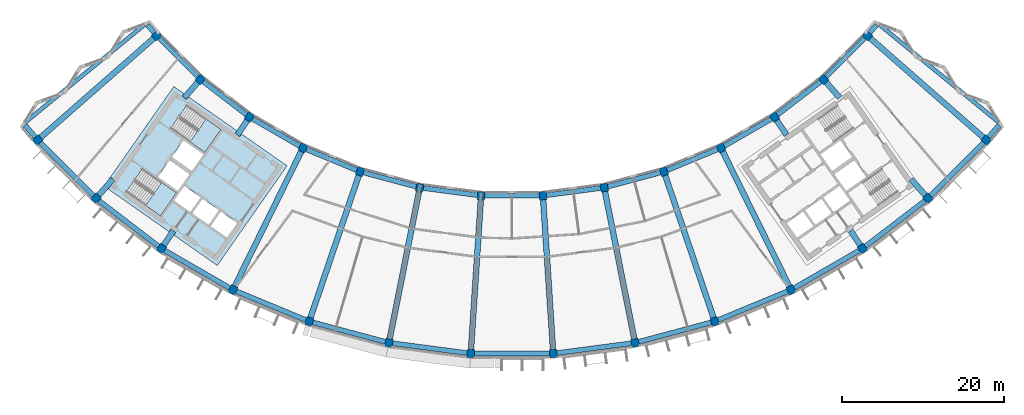
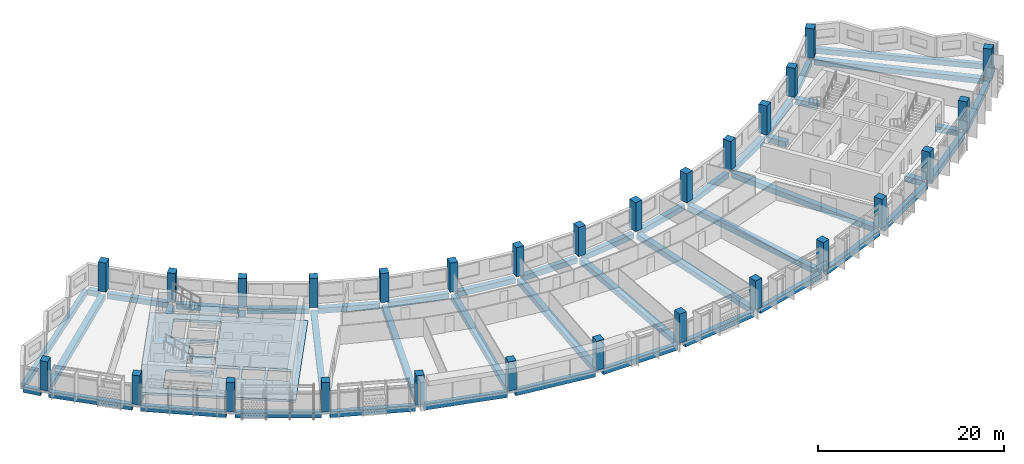
# One storey, part 1 of 27: 50 beams, 28 columns, 3 slabs, 2 elements without a shape of their own.
"""IFC4 building model written with IfcOpenShell, lengths in metres."""

from ifc_helpers import new_model, si_unit, direction, frame, origin, origin_2d, place, context, subcontext, project, spatial, polyline, rectangle, outline, extrude, material, layer, layer_set, material_profile, profile_set, type_object, element, aggregate, save


model = new_model("IFC4")

# Units and contexts
model_context = context("Model", 3, precision=1e-05, world=origin(), true_north=direction((0.0, 1.0)))
body_context = subcontext(model_context, "Body", "Model", "MODEL_VIEW")
ifc_project = project(units=[si_unit("LENGTHUNIT", "METRE"), si_unit("AREAUNIT", "SQUARE_METRE"), si_unit("VOLUMEUNIT", "CUBIC_METRE"), si_unit("PLANEANGLEUNIT", "RADIAN"), si_unit("MASSUNIT", "GRAM", prefix="KILO")], contexts=[model_context])

# Site, building, storey
site_placement = place(None, origin())
site = spatial("IfcSite", under=ifc_project, at=site_placement, CompositionType="ELEMENT")
building_placement = place(site_placement, origin())
building = spatial("IfcBuilding", under=site, at=building_placement, Name="Qamariyya Broadcast Tower", CompositionType="ELEMENT")
storey_placement = place(building_placement, frame((0.0, 0.0, 280.89990234375)))
storey = spatial("IfcBuildingStorey", under=building, at=storey_placement, Name="L68", CompositionType="ELEMENT", Elevation=280.89990234375)

# Columns
ifc_material_1 = material(Name="Concrete C50/60", Category="concrete")
ifc_material_profile_1 = material_profile(ifc_material_1, rectangle(XDim=0.89990234375, YDim=1.0, at=origin_2d()))
ifc_profile_set_1 = profile_set([ifc_material_profile_1], Name="Concrete C50/60")
column_type = type_object("IfcColumnType", Name="RC column 900 x 1000 C50/60", PredefinedType="COLUMN", material=ifc_profile_set_1)
for number, where, z_axis, x_axis, name in (
    (1, (-43.794677734375, -38.406982421875, 0.0), (0.0, 0.0, 1.0), (0.6593458151, -0.751839807479, 0.0), "Column C12 L68 B-R04"),
    (2, (-58.45556640625, -51.26416015625, 0.0), (0.0, 0.0, 1.0), (0.6593458151, -0.751839807479, 0.0), "Column C12 L68 C-R04"),
    (3, (-38.406982421875, -43.794677734375, 0.0), (0.0, 0.0, 1.0), (0.751839807479, -0.6593458151, 0.0), "Column C12 L68 B-R05"),
    (4, (-51.26416015625, -58.45556640625, 0.0), (0.0, 0.0, 1.0), (0.751839807479, -0.6593458151, 0.0), "Column C12 L68 C-R05"),
    (5, (-32.362060546875, -48.43310546875, 0.0), (0.0, 0.0, 1.0), (0.831469612303, -0.55557023302, 0.0), "Column C12 L68 B-R06"),
    (6, (-43.195556640625, -64.646728515625, 0.0), (0.0, 0.0, 1.0), (0.831469612303, -0.55557023302, 0.0), "Column C12 L68 C-R06"),
    (7, (-25.763427734375, -52.242919921875, 0.0), (0.0, 0.0, 1.0), (0.896872741533, -0.442288690219, 0.0), "Column C12 L68 B-R07"),
    (8, (-34.387939453125, -69.73193359375, 0.0), (0.0, 0.0, 1.0), (0.896872741533, -0.442288690219, 0.0), "Column C12 L68 C-R07"),
    (9, (-18.723876953125, -55.15869140625, 0.0), (0.0, 0.0, 1.0), (0.946930129495, -0.321439465303, 0.0), "Column C12 L68 B-R08"),
    (10, (-24.991943359375, -73.623779296875, 0.0), (0.0, 0.0, 1.0), (0.946930129495, -0.321439465303, 0.0), "Column C12 L68 C-R08"),
    (11, (-11.364013671875, -57.130859375, 0.0), (0.0, 0.0, 1.0), (0.980785280403, -0.195090322016, 0.0), "Column C12 L68 B-R09"),
    (12, (-15.168212890625, -76.256103515625, 0.0), (0.0, 0.0, 1.0), (0.980785280403, -0.195090322016, 0.0), "Column C12 L68 C-R09"),
    (13, (-3.809814453125, -58.125244140625, 0.0), (0.0, 0.0, 1.0), (0.997858923239, -0.06540312923, 0.0), "Column C12 L68 B-R10"),
    (14, (-5.085205078125, -77.58349609375, 0.0), (0.0, 0.0, 1.0), (0.997858923239, -0.06540312923, 0.0), "Column C12 L68 C-R10"),
    (15, (3.809814453125, -58.125244140625, 0.0), (0.0, 0.0, 1.0), (0.997858923239, 0.06540312923, 0.0), "Column C12 L68 B-R11"),
    (16, (5.085205078125, -77.58349609375, 0.0), (0.0, 0.0, 1.0), (0.997858923239, 0.06540312923, 0.0), "Column C12 L68 C-R11"),
    (17, (11.364013671875, -57.130859375, 0.0), (0.0, 0.0, 1.0), (0.980785280403, 0.195090322016, 0.0), "Column C12 L68 B-R12"),
    (18, (15.168212890625, -76.256103515625, 0.0), (0.0, 0.0, 1.0), (0.980785280403, 0.195090322016, 0.0), "Column C12 L68 C-R12"),
    (19, (18.723876953125, -55.15869140625, 0.0), (0.0, 0.0, 1.0), (0.946930129495, 0.321439465303, 0.0), "Column C12 L68 B-R13"),
    (20, (24.991943359375, -73.623779296875, 0.0), (0.0, 0.0, 1.0), (0.946930129495, 0.321439465303, 0.0), "Column C12 L68 C-R13"),
    (21, (25.763427734375, -52.242919921875, 0.0), (0.0, 0.0, 1.0), (0.896872741533, 0.442288690219, 0.0), "Column C12 L68 B-R14"),
    (22, (34.387939453125, -69.73193359375, 0.0), (0.0, 0.0, 1.0), (0.896872741533, 0.442288690219, 0.0), "Column C12 L68 C-R14"),
    (23, (32.362060546875, -48.43310546875, 0.0), (0.0, 0.0, 1.0), (0.831469612303, 0.55557023302, 0.0), "Column C12 L68 B-R15"),
    (24, (43.195556640625, -64.646728515625, 0.0), (0.0, 0.0, 1.0), (0.831469612303, 0.55557023302, 0.0), "Column C12 L68 C-R15"),
    (25, (38.406982421875, -43.794677734375, 0.0), (0.0, 0.0, 1.0), (0.751839807479, 0.6593458151, 0.0), "Column C12 L68 B-R16"),
    (26, (51.26416015625, -58.45556640625, 0.0), (0.0, 0.0, 1.0), (0.751839807479, 0.6593458151, 0.0), "Column C12 L68 C-R16"),
    (27, (43.794677734375, -38.406982421875, 0.0), (0.0, 0.0, 1.0), (0.6593458151, 0.751839807479, 0.0), "Column C12 L68 B-R17"),
    (28, (58.45556640625, -51.26416015625, 0.0), (0.0, 0.0, 1.0), (0.6593458151, 0.751839807479, 0.0), "Column C12 L68 C-R17"),
):
    element("IfcColumn", number, at=place(storey_placement, frame(where, z_axis=z_axis, x_axis=x_axis)), inside=storey, type_object=column_type, Name=name, PredefinedType="COLUMN", context=body_context, shape_type="SweptSolid", body=[
        extrude(rectangle(XDim=0.89990234375, YDim=1.0, at=origin_2d()), origin(), (0.0, 0.0, 1.0), 3.800048828125),
    ])

# Beams
ifc_material_2 = material(Name="Concrete C40/50", Category="concrete")
ifc_material_profile_2 = material_profile(ifc_material_2, rectangle(XDim=0.60009765625, YDim=0.699951171875, at=origin_2d()))
ifc_profile_set_2 = profile_set([ifc_material_profile_2], Name="Concrete C40/50")
beam_type_1 = type_object("IfcBeamType", Name="RC edge beam 600 x 700 C40/50", PredefinedType="SPANDREL", material=ifc_profile_set_2)
for number, where, z_axis, x_axis, name in (
    (29, (-43.475830078125, -38.725830078125, -0.64990234375), (0.707106781187, -0.707106781187, 0.0), (0.707106781187, 0.707106781187, 0.0), "Edge beam B20 L68 B R04-R05"),
    (30, (-38.049072265625, -44.069091796875, -0.64990234375), (0.793335450892, -0.608784742219, 0.0), (0.608784742219, 0.793335450892, 0.0), "Edge beam B20 L68 B R05-R06"),
    (31, (-31.971435546875, -48.65869140625, -0.64990234375), (0.866036098112, -0.499981476425, 0.0), (0.499981476425, 0.866036098112, 0.0), "Edge beam B20 L68 B R06-R07"),
    (32, (-25.3466796875, -52.41552734375, -0.64990234375), (0.923888821942, -0.382661004926, 0.0), (0.382661004926, 0.923888821942, 0.0), "Edge beam B20 L68 B R07-R08"),
    (33, (-18.288330078125, -55.275390625, -0.64990234375), (0.965930856343, -0.258800271955, 0.0), (0.258800271955, 0.965930856343, 0.0), "Edge beam B20 L68 B R08-R09"),
    (34, (-10.9169921875, -57.189697265625, -0.64990234375), (0.991447119382, -0.130509039798, 0.0), (0.130509039798, 0.991447119382, 0.0), "Edge beam B20 L68 B R09-R10"),
):
    element("IfcBeam", number, at=place(storey_placement, frame(where, z_axis=z_axis, x_axis=x_axis)), inside=storey, type_object=beam_type_1, Name=name, PredefinedType="SPANDREL", context=body_context, shape_type="SweptSolid", body=[
        extrude(rectangle(XDim=0.60009765625, YDim=0.699951171875, at=origin_2d()), origin(), (0.0, 0.0, 1.0), 6.717529296875),
    ])
beam_1_placement = place(storey_placement, frame((-3.35888671875, -58.125244140625, -0.64990234375), z_axis=(1.0, 0.0, 0.0), x_axis=(0.0, 1.0, 0.0)))
element("IfcBeam", 35, at=beam_1_placement, inside=storey, type_object=beam_type_1, Name="Edge beam B20 L68 B R10-R11", PredefinedType="SPANDREL", context=body_context, shape_type="SweptSolid", body=[
    extrude(rectangle(XDim=0.60009765625, YDim=0.699951171875, at=origin_2d()), origin(), (0.0, 0.0, 1.0), 6.7177734375),
])
for number, where, z_axis, x_axis, name in (
    (36, (4.2568359375, -58.06640625, -0.64990234375), (0.991447119382, 0.130509039798, 0.0), (-0.130509039798, 0.991447119382, 0.0), "Edge beam B20 L68 B R11-R12"),
    (37, (11.799560546875, -57.013916015625, -0.64990234375), (0.965930856343, 0.258800271955, 0.0), (-0.258800271955, 0.965930856343, 0.0), "Edge beam B20 L68 B R12-R13"),
    (38, (19.140380859375, -54.986083984375, -0.64990234375), (0.923888821942, 0.382661004926, 0.0), (-0.382661004926, 0.923888821942, 0.0), "Edge beam B20 L68 B R13-R14"),
    (39, (26.15380859375, -52.017333984375, -0.64990234375), (0.866036098112, 0.499981476425, 0.0), (-0.499981476425, 0.866036098112, 0.0), "Edge beam B20 L68 B R14-R15"),
    (40, (32.7197265625, -48.15869140625, -0.64990234375), (0.793335450892, 0.608784742219, 0.0), (-0.608784742219, 0.793335450892, 0.0), "Edge beam B20 L68 B R15-R16"),
    (41, (38.725830078125, -43.475830078125, -0.64990234375), (0.707106781187, 0.707106781187, 0.0), (-0.707106781187, 0.707106781187, 0.0), "Edge beam B20 L68 B R16-R17"),
):
    element("IfcBeam", number, at=place(storey_placement, frame(where, z_axis=z_axis, x_axis=x_axis)), inside=storey, type_object=beam_type_1, Name=name, PredefinedType="SPANDREL", context=body_context, shape_type="SweptSolid", body=[
        extrude(rectangle(XDim=0.60009765625, YDim=0.699951171875, at=origin_2d()), origin(), (0.0, 0.0, 1.0), 6.717529296875),
    ])
for number, where, z_axis, x_axis, name in (
    (42, (-58.13671875, -51.5830078125, -0.64990234375), (0.707106781187, -0.707106781187, 0.0), (0.707106781187, 0.707106781187, 0.0), "Edge beam B20 L68 C R04-R05"),
    (43, (-50.90625, -58.72998046875, -0.64990234375), (0.793335362304, -0.608784857662, 0.0), (0.608784857662, 0.793335362304, 0.0), "Edge beam B20 L68 C R05-R06"),
):
    element("IfcBeam", number, at=place(storey_placement, frame(where, z_axis=z_axis, x_axis=x_axis)), inside=storey, type_object=beam_type_1, Name=name, PredefinedType="SPANDREL", context=body_context, shape_type="SweptSolid", body=[
        extrude(rectangle(XDim=0.60009765625, YDim=0.699951171875, at=origin_2d()), origin(), (0.0, 0.0, 1.0), 9.268310546875),
    ])
for number, where, z_axis, x_axis, name in (
    (44, (-42.804931640625, -64.872314453125, -0.64990234375), (0.866025032501, -0.50000064308, 0.0), (0.50000064308, 0.866025032501, 0.0), "Edge beam B20 L68 C R06-R07"),
    (45, (-33.97119140625, -69.904541015625, -0.64990234375), (0.923886165939, -0.382667417461, 0.0), (0.382667417461, 0.923886165939, 0.0), "Edge beam B20 L68 C R07-R08"),
):
    element("IfcBeam", number, at=place(storey_placement, frame(where, z_axis=z_axis, x_axis=x_axis)), inside=storey, type_object=beam_type_1, Name=name, PredefinedType="SPANDREL", context=body_context, shape_type="SweptSolid", body=[
        extrude(rectangle(XDim=0.60009765625, YDim=0.699951171875, at=origin_2d()), origin(), (0.0, 0.0, 1.0), 9.26806640625),
    ])
beam_2_placement = place(storey_placement, frame((-24.556396484375, -73.740478515625, -0.64990234375), z_axis=(0.965923830183, -0.258826494556, 0.0), x_axis=(0.258826494556, 0.965923830183, 0.0)))
element("IfcBeam", 46, at=beam_2_placement, inside=storey, type_object=beam_type_1, Name="Edge beam B20 L68 C R08-R09", PredefinedType="SPANDREL", context=body_context, shape_type="SweptSolid", body=[
    extrude(rectangle(XDim=0.60009765625, YDim=0.699951171875, at=origin_2d()), origin(), (0.0, 0.0, 1.0), 9.2685546875),
])
beam_3_placement = place(storey_placement, frame((-14.72119140625, -76.31494140625, -0.64990234375), z_axis=(0.991445327372, -0.130522652562, 0.0), x_axis=(0.130522652562, 0.991445327372, 0.0)))
element("IfcBeam", 47, at=beam_3_placement, inside=storey, type_object=beam_type_1, Name="Edge beam B20 L68 C R09-R10", PredefinedType="SPANDREL", context=body_context, shape_type="SweptSolid", body=[
    extrude(rectangle(XDim=0.60009765625, YDim=0.699951171875, at=origin_2d()), origin(), (0.0, 0.0, 1.0), 9.268310546875),
])
beam_4_placement = place(storey_placement, frame((-4.634033203125, -77.58349609375, -0.64990234375), z_axis=(1.0, 0.0, 0.0), x_axis=(0.0, 1.0, 0.0)))
element("IfcBeam", 48, at=beam_4_placement, inside=storey, type_object=beam_type_1, Name="Edge beam B20 L68 C R10-R11", PredefinedType="SPANDREL", context=body_context, shape_type="SweptSolid", body=[
    extrude(rectangle(XDim=0.60009765625, YDim=0.699951171875, at=origin_2d()), origin(), (0.0, 0.0, 1.0), 9.26806640625),
])
beam_5_placement = place(storey_placement, frame((5.5322265625, -77.524658203125, -0.64990234375), z_axis=(0.991445327372, 0.130522652562, 0.0), x_axis=(-0.130522652562, 0.991445327372, 0.0)))
element("IfcBeam", 49, at=beam_5_placement, inside=storey, type_object=beam_type_1, Name="Edge beam B20 L68 C R11-R12", PredefinedType="SPANDREL", context=body_context, shape_type="SweptSolid", body=[
    extrude(rectangle(XDim=0.60009765625, YDim=0.699951171875, at=origin_2d()), origin(), (0.0, 0.0, 1.0), 9.268310546875),
])
beam_6_placement = place(storey_placement, frame((15.603759765625, -76.139404296875, -0.64990234375), z_axis=(0.965923830183, 0.258826494556, 0.0), x_axis=(-0.258826494556, 0.965923830183, 0.0)))
element("IfcBeam", 50, at=beam_6_placement, inside=storey, type_object=beam_type_1, Name="Edge beam B20 L68 C R12-R13", PredefinedType="SPANDREL", context=body_context, shape_type="SweptSolid", body=[
    extrude(rectangle(XDim=0.60009765625, YDim=0.699951171875, at=origin_2d()), origin(), (0.0, 0.0, 1.0), 9.2685546875),
])
for number, where, z_axis, x_axis, name in (
    (51, (25.408447265625, -73.451171875, -0.64990234375), (0.923886165939, 0.382667417461, 0.0), (-0.382667417461, 0.923886165939, 0.0), "Edge beam B20 L68 C R13-R14"),
    (52, (34.778564453125, -69.50634765625, -0.64990234375), (0.866025032501, 0.50000064308, 0.0), (-0.50000064308, 0.866025032501, 0.0), "Edge beam B20 L68 C R14-R15"),
):
    element("IfcBeam", number, at=place(storey_placement, frame(where, z_axis=z_axis, x_axis=x_axis)), inside=storey, type_object=beam_type_1, Name=name, PredefinedType="SPANDREL", context=body_context, shape_type="SweptSolid", body=[
        extrude(rectangle(XDim=0.60009765625, YDim=0.699951171875, at=origin_2d()), origin(), (0.0, 0.0, 1.0), 9.26806640625),
    ])
for number, where, z_axis, x_axis, name in (
    (53, (43.553466796875, -64.372314453125, -0.64990234375), (0.793335362304, 0.608784857662, 0.0), (-0.608784857662, 0.793335362304, 0.0), "Edge beam B20 L68 C R15-R16"),
    (54, (51.5830078125, -58.13671875, -0.64990234375), (0.707106781187, 0.707106781187, 0.0), (-0.707106781187, 0.707106781187, 0.0), "Edge beam B20 L68 C R16-R17"),
):
    element("IfcBeam", number, at=place(storey_placement, frame(where, z_axis=z_axis, x_axis=x_axis)), inside=storey, type_object=beam_type_1, Name=name, PredefinedType="SPANDREL", context=body_context, shape_type="SweptSolid", body=[
        extrude(rectangle(XDim=0.60009765625, YDim=0.699951171875, at=origin_2d()), origin(), (0.0, 0.0, 1.0), 9.268310546875),
    ])
ifc_material_profile_3 = material_profile(ifc_material_2, rectangle(XDim=0.60009765625, YDim=0.699951171875, at=origin_2d()))
ifc_profile_set_3 = profile_set([ifc_material_profile_3], Name="Concrete C40/50")
beam_type_2 = type_object("IfcBeamType", Name="RC horn beam 600 x 700 C40/50", PredefinedType="BEAM", material=ifc_profile_set_3)
beam_7_placement = place(storey_placement, frame((-44.085693359375, -38.0634765625, -0.64990234375), z_axis=(-0.646340682257, 0.763048964654, 0.0), x_axis=(-0.763048964654, -0.646340682257, 0.0)))
element("IfcBeam", 55, at=beam_7_placement, inside=storey, type_object=beam_type_2, Name="Horn beam B19 L68 W B-R04", PredefinedType="BEAM", context=body_context, shape_type="SweptSolid", body=[
    extrude(rectangle(XDim=0.60009765625, YDim=0.699951171875, at=origin_2d()), origin(), (0.0, 0.0, 1.0), 1.290771484375),
])
beam_8_placement = place(storey_placement, frame((-58.74658203125, -50.920654296875, -0.64990234375), z_axis=(-0.646383872123, 0.763012378575, 0.0), x_axis=(-0.763012378575, -0.646383872123, 0.0)))
element("IfcBeam", 56, at=beam_8_placement, inside=storey, type_object=beam_type_2, Name="Horn beam B19 L68 W C-R04", PredefinedType="BEAM", context=body_context, shape_type="SweptSolid", body=[
    extrude(rectangle(XDim=0.60009765625, YDim=0.699951171875, at=origin_2d()), origin(), (0.0, 0.0, 1.0), 1.957275390625),
])
beam_9_placement = place(storey_placement, frame((44.085693359375, -38.0634765625, -0.64990234375), z_axis=(0.646340682257, 0.763048964654, 0.0), x_axis=(-0.763048964654, 0.646340682257, 0.0)))
element("IfcBeam", 57, at=beam_9_placement, inside=storey, type_object=beam_type_2, Name="Horn beam B19 L68 E B-R17", PredefinedType="BEAM", context=body_context, shape_type="SweptSolid", body=[
    extrude(rectangle(XDim=0.60009765625, YDim=0.699951171875, at=origin_2d()), origin(), (0.0, 0.0, 1.0), 1.290771484375),
])
beam_10_placement = place(storey_placement, frame((58.74658203125, -50.920654296875, -0.64990234375), z_axis=(0.646383872123, 0.763012378575, 0.0), x_axis=(-0.763012378575, 0.646383872123, 0.0)))
element("IfcBeam", 58, at=beam_10_placement, inside=storey, type_object=beam_type_2, Name="Horn beam B19 L68 E C-R17", PredefinedType="BEAM", context=body_context, shape_type="SweptSolid", body=[
    extrude(rectangle(XDim=0.60009765625, YDim=0.699951171875, at=origin_2d()), origin(), (0.0, 0.0, 1.0), 1.957275390625),
])
ifc_material_profile_4 = material_profile(ifc_material_2, rectangle(XDim=0.5, YDim=0.699951171875, at=origin_2d()))
ifc_profile_set_4 = profile_set([ifc_material_profile_4], Name="Concrete C40/50")
beam_type_3 = type_object("IfcBeamType", Name="RC horn cap beam 500 x 700 C40/50", PredefinedType="BEAM", material=ifc_profile_set_4)
for number, where, z_axis, x_axis, name in (
    (59, (-45.313720703125, -37.077880859375, -0.64990234375), (-0.773935428623, -0.633264520025, 0.0), (0.633264520025, -0.773935428623, 0.0), "Horn cap beam B21 L68 W B-C"),
    (60, (45.313720703125, -37.077880859375, -0.64990234375), (0.773935428623, -0.633264520025, 0.0), (0.633264520025, 0.773935428623, 0.0), "Horn cap beam B21 L68 E B-C"),
):
    element("IfcBeam", number, at=place(storey_placement, frame(where, z_axis=z_axis, x_axis=x_axis)), inside=storey, type_object=beam_type_3, Name=name, PredefinedType="BEAM", context=body_context, shape_type="SweptSolid", body=[
        extrude(rectangle(XDim=0.5, YDim=0.699951171875, at=origin_2d()), origin(), (0.0, 0.0, 1.0), 18.900146484375),
    ])
ifc_material_profile_5 = material_profile(ifc_material_2, rectangle(XDim=0.699951171875, YDim=0.699951171875, at=origin_2d()))
ifc_profile_set_5 = profile_set([ifc_material_profile_5], Name="Concrete C40/50")
beam_type_4 = type_object("IfcBeamType", Name="RC radial beam 700 x 700 C40/50", PredefinedType="BEAM", material=ifc_profile_set_5)
beam_11_placement = place(storey_placement, frame((-44.170654296875, -38.736572265625, -0.64990234375), z_axis=(-0.751834744467, -0.659351588314, 0.0), x_axis=(0.659351588314, -0.751834744467, 0.0)))
element("IfcBeam", 61, at=beam_11_placement, inside=storey, type_object=beam_type_4, Name="Radial beam B18 L68 R04 B-C", PredefinedType="BEAM", context=body_context, shape_type="SweptSolid", body=[
    extrude(rectangle(XDim=0.699951171875, YDim=0.699951171875, at=origin_2d()), origin(), (0.0, 0.0, 1.0), 18.5),
])
beam_12_placement = place(storey_placement, frame((-38.736572265625, -44.170654296875, -0.64990234375), z_axis=(-0.659370418704, -0.751818229986, 0.0), x_axis=(0.751818229986, -0.659370418704, 0.0)))
element("IfcBeam", 62, at=beam_12_placement, inside=storey, type_object=beam_type_4, Name="Radial beam B18 L68 R05 B-C", PredefinedType="BEAM", context=body_context, shape_type="SweptSolid", body=[
    extrude(rectangle(XDim=0.699951171875, YDim=0.699951171875, at=origin_2d()), origin(), (0.0, 0.0, 1.0), 2.51416015625),
])
beam_13_placement = place(storey_placement, frame((-49.1943359375, -56.095458984375, -0.64990234375), z_axis=(-0.659388288985, -0.751802556759, 0.0), x_axis=(0.751802556759, -0.659388288985, 0.0)))
element("IfcBeam", 63, at=beam_13_placement, inside=storey, type_object=beam_type_4, Name="Radial beam B18 L68 R05 B-C", PredefinedType="BEAM", context=body_context, shape_type="SweptSolid", body=[
    extrude(rectangle(XDim=0.699951171875, YDim=0.699951171875, at=origin_2d()), origin(), (0.0, 0.0, 1.0), 2.63916015625),
])
beam_14_placement = place(storey_placement, frame((-32.6396484375, -48.848876953125, -0.64990234375), z_axis=(-0.555636925355, -0.83142504604, 0.0), x_axis=(0.83142504604, -0.555636925355, 0.0)))
element("IfcBeam", 64, at=beam_14_placement, inside=storey, type_object=beam_type_4, Name="Radial beam B18 L68 R06 B-C", PredefinedType="BEAM", context=body_context, shape_type="SweptSolid", body=[
    extrude(rectangle(XDim=0.699951171875, YDim=0.699951171875, at=origin_2d()), origin(), (0.0, 0.0, 1.0), 2.16455078125),
])
beam_15_placement = place(storey_placement, frame((-41.733154296875, -62.458251953125, -0.64990234375), z_axis=(-0.555598329138, -0.83145083839, 0.0), x_axis=(0.83145083839, -0.555598329138, 0.0)))
element("IfcBeam", 65, at=beam_15_placement, inside=storey, type_object=beam_type_4, Name="Radial beam B18 L68 R06 B-C", PredefinedType="BEAM", context=body_context, shape_type="SweptSolid", body=[
    extrude(rectangle(XDim=0.699951171875, YDim=0.699951171875, at=origin_2d()), origin(), (0.0, 0.0, 1.0), 2.132080078125),
])
for number, where, z_axis, x_axis, name in (
    (66, (-25.984375, -52.691162109375, -0.64990234375), (-0.442287103846, -0.896873523843, 0.0), (0.896873523843, -0.442287103846, 0.0), "Radial beam B18 L68 R07 B-C"),
    (67, (-18.884521484375, -55.632080078125, -0.64990234375), (-0.321444904473, -0.946928283128, 0.0), (0.946928283128, -0.321444904473, 0.0), "Radial beam B18 L68 R08 B-C"),
):
    element("IfcBeam", number, at=place(storey_placement, frame(where, z_axis=z_axis, x_axis=x_axis)), inside=storey, type_object=beam_type_4, Name=name, PredefinedType="BEAM", context=body_context, shape_type="SweptSolid", body=[
        extrude(rectangle(XDim=0.699951171875, YDim=0.699951171875, at=origin_2d()), origin(), (0.0, 0.0, 1.0), 18.500244140625),
    ])
for number, where, z_axis, x_axis, name in (
    (68, (-11.461669921875, -57.62109375, -0.64990234375), (-0.195088200207, -0.980785702455, 0.0), (0.980785702455, -0.195088200207, 0.0), "Radial beam B18 L68 R09 B-C"),
    (69, (-3.842529296875, -58.624267578125, -0.64990234375), (-0.065403084588, -0.997858926165, 0.0), (0.997858926165, -0.065403084588, 0.0), "Radial beam B18 L68 R10 B-C"),
    (70, (3.842529296875, -58.624267578125, -0.64990234375), (0.065403084588, -0.997858926165, 0.0), (0.997858926165, 0.065403084588, 0.0), "Radial beam B18 L68 R11 B-C"),
    (71, (11.461669921875, -57.62109375, -0.64990234375), (0.195088200207, -0.980785702455, 0.0), (0.980785702455, 0.195088200207, 0.0), "Radial beam B18 L68 R12 B-C"),
):
    element("IfcBeam", number, at=place(storey_placement, frame(where, z_axis=z_axis, x_axis=x_axis)), inside=storey, type_object=beam_type_4, Name=name, PredefinedType="BEAM", context=body_context, shape_type="SweptSolid", body=[
        extrude(rectangle(XDim=0.699951171875, YDim=0.699951171875, at=origin_2d()), origin(), (0.0, 0.0, 1.0), 18.5),
    ])
for number, where, z_axis, x_axis, name in (
    (72, (18.884521484375, -55.632080078125, -0.64990234375), (0.321444904473, -0.946928283128, 0.0), (0.946928283128, 0.321444904473, 0.0), "Radial beam B18 L68 R13 B-C"),
    (73, (25.984375, -52.691162109375, -0.64990234375), (0.442287103846, -0.896873523843, 0.0), (0.896873523843, 0.442287103846, 0.0), "Radial beam B18 L68 R14 B-C"),
):
    element("IfcBeam", number, at=place(storey_placement, frame(where, z_axis=z_axis, x_axis=x_axis)), inside=storey, type_object=beam_type_4, Name=name, PredefinedType="BEAM", context=body_context, shape_type="SweptSolid", body=[
        extrude(rectangle(XDim=0.699951171875, YDim=0.699951171875, at=origin_2d()), origin(), (0.0, 0.0, 1.0), 18.500244140625),
    ])
beam_16_placement = place(storey_placement, frame((32.6396484375, -48.848876953125, -0.64990234375), z_axis=(0.555636925355, -0.83142504604, 0.0), x_axis=(0.83142504604, 0.555636925355, 0.0)))
element("IfcBeam", 74, at=beam_16_placement, inside=storey, type_object=beam_type_4, Name="Radial beam B18 L68 R15 B-C", PredefinedType="BEAM", context=body_context, shape_type="SweptSolid", body=[
    extrude(rectangle(XDim=0.699951171875, YDim=0.699951171875, at=origin_2d()), origin(), (0.0, 0.0, 1.0), 2.16455078125),
])
beam_17_placement = place(storey_placement, frame((41.733154296875, -62.458251953125, -0.64990234375), z_axis=(0.555598329138, -0.83145083839, 0.0), x_axis=(0.83145083839, 0.555598329138, 0.0)))
element("IfcBeam", 75, at=beam_17_placement, inside=storey, type_object=beam_type_4, Name="Radial beam B18 L68 R15 B-C", PredefinedType="BEAM", context=body_context, shape_type="SweptSolid", body=[
    extrude(rectangle(XDim=0.699951171875, YDim=0.699951171875, at=origin_2d()), origin(), (0.0, 0.0, 1.0), 2.132080078125),
])
beam_18_placement = place(storey_placement, frame((38.736572265625, -44.170654296875, -0.64990234375), z_axis=(0.659370418704, -0.751818229986, 0.0), x_axis=(0.751818229986, 0.659370418704, 0.0)))
element("IfcBeam", 76, at=beam_18_placement, inside=storey, type_object=beam_type_4, Name="Radial beam B18 L68 R16 B-C", PredefinedType="BEAM", context=body_context, shape_type="SweptSolid", body=[
    extrude(rectangle(XDim=0.699951171875, YDim=0.699951171875, at=origin_2d()), origin(), (0.0, 0.0, 1.0), 2.51416015625),
])
beam_19_placement = place(storey_placement, frame((49.1943359375, -56.095458984375, -0.64990234375), z_axis=(0.659388288985, -0.751802556759, 0.0), x_axis=(0.751802556759, 0.659388288985, 0.0)))
element("IfcBeam", 77, at=beam_19_placement, inside=storey, type_object=beam_type_4, Name="Radial beam B18 L68 R16 B-C", PredefinedType="BEAM", context=body_context, shape_type="SweptSolid", body=[
    extrude(rectangle(XDim=0.699951171875, YDim=0.699951171875, at=origin_2d()), origin(), (0.0, 0.0, 1.0), 2.63916015625),
])
beam_20_placement = place(storey_placement, frame((44.170654296875, -38.736572265625, -0.64990234375), z_axis=(0.751834744467, -0.659351588314, 0.0), x_axis=(0.659351588314, 0.751834744467, 0.0)))
element("IfcBeam", 78, at=beam_20_placement, inside=storey, type_object=beam_type_4, Name="Radial beam B18 L68 R17 B-C", PredefinedType="BEAM", context=body_context, shape_type="SweptSolid", body=[
    extrude(rectangle(XDim=0.699951171875, YDim=0.699951171875, at=origin_2d()), origin(), (0.0, 0.0, 1.0), 18.5),
])

# Slab
ifc_layer_1 = layer(ifc_material_2, 0.300048828125)
ifc_layer_set_1 = layer_set([ifc_layer_1], Name="Core floor slab 300 mm Concrete C40/50")
slab_type_1 = type_object("IfcSlabType", Name="Core floor slab 300 mm Concrete C40/50", PredefinedType="FLOOR", material=ifc_layer_set_1)
slab_1_placement = place(storey_placement, frame((0.0, 0.0, -0.2998046875)))
element("IfcSlab", 79, at=slab_1_placement, inside=storey, type_object=slab_type_1, Name="k-W-L68-slab", PredefinedType="FLOOR", context=body_context, shape_type="SweptSolid", body=[
    extrude(outline(polyline([(-50.286376953125, -56.95751953125), (-36.32373046875, -66.734375), (-27.719970703125, -54.447021484375), (-41.6826171875, -44.67041015625), (-50.286376953125, -56.95751953125)]), holes=[polyline([(-33.87353515625, -61.49169921875), (-35.88037109375, -60.08642578125), (-37.142333984375, -61.888427734375), (-35.13525390625, -63.293701171875), (-33.87353515625, -61.49169921875)]), polyline([(-36.126220703125, -59.914306640625), (-38.133056640625, -58.509033203125), (-39.394775390625, -60.311279296875), (-37.387939453125, -61.716552734375), (-36.126220703125, -59.914306640625)]), polyline([(-38.378662109375, -58.3369140625), (-40.3857421875, -56.931640625), (-41.6474609375, -58.73388671875), (-39.640625, -60.13916015625), (-38.378662109375, -58.3369140625)]), polyline([(-39.742431640625, -55.489990234375), (-42.199951171875, -53.769287109375), (-43.6337890625, -55.817138671875), (-41.17626953125, -57.537841796875), (-39.742431640625, -55.489990234375)]), polyline([(-39.45556640625, -55.080322265625), (-41.9130859375, -53.359619140625), (-40.47900390625, -51.311767578125), (-38.021728515625, -53.032470703125), (-39.45556640625, -55.080322265625)]), polyline([(-42.06103515625, -49.837890625), (-37.849609375, -52.78662109375), (-35.870849609375, -49.960693359375), (-40.082275390625, -47.01171875), (-42.06103515625, -49.837890625)]), polyline([(-47.538818359375, -57.66064453125), (-43.3271484375, -60.609619140625), (-41.348388671875, -57.783447265625), (-45.559814453125, -54.834716796875), (-47.538818359375, -57.66064453125)])]), origin(), (0.0, 0.0, 1.0), 0.2998046875),
])

# Stair, slab
stair_type = type_object("IfcStairType", Name="Exit stair 22 risers of 173 mm", PredefinedType="HALF_TURN_STAIR", material=ifc_material_1)
stair_1_placement = place(storey_placement, origin())
stair_1 = element("IfcStair", 80, at=stair_1_placement, inside=storey, type_object=stair_type, Name="L68 Stair W2", PredefinedType="HALF_TURN_STAIR")
ifc_layer_2 = layer(ifc_material_1, 0.199951171875)
ifc_layer_set_2 = layer_set([ifc_layer_2], Name="Stair landing")
slab_type_2 = type_object("IfcSlabType", Name="Stair landing", PredefinedType="LANDING", material=ifc_layer_set_2)
slab_2_placement = place(storey_placement, frame((0.0, 0.0, 1.7001953125)))
slab_2 = element("IfcSlab", 81, at=slab_2_placement, type_object=slab_type_2, Name="ST-W2 landing 1", PredefinedType="LANDING", context=body_context, shape_type="SweptSolid", body=[
    extrude(outline(polyline([(-39.692138671875, -51.49658203125), (-37.849609375, -52.78662109375), (-35.870849609375, -49.960693359375), (-37.71337890625, -48.67041015625), (-39.692138671875, -51.49658203125)])), origin(), (0.0, 0.0, 1.0), 0.199951171875),
])
aggregate(stair_1, [slab_2])

stair_2_placement = place(storey_placement, origin())
stair_2 = element("IfcStair", 82, at=stair_2_placement, inside=storey, type_object=stair_type, Name="L68 Stair W1", PredefinedType="HALF_TURN_STAIR")
slab_3_placement = place(storey_placement, frame((0.0, 0.0, 1.7001953125)))
slab_3 = element("IfcSlab", 83, at=slab_3_placement, type_object=slab_type_2, Name="ST-W1 landing 1", PredefinedType="LANDING", context=body_context, shape_type="SweptSolid", body=[
    extrude(outline(polyline([(-45.169677734375, -59.319580078125), (-43.3271484375, -60.609619140625), (-41.348388671875, -57.783447265625), (-43.19091796875, -56.493408203125), (-45.169677734375, -59.319580078125)])), origin(), (0.0, 0.0, 1.0), 0.199951171875),
])
aggregate(stair_2, [slab_3])

save(model, "model.ifc")
